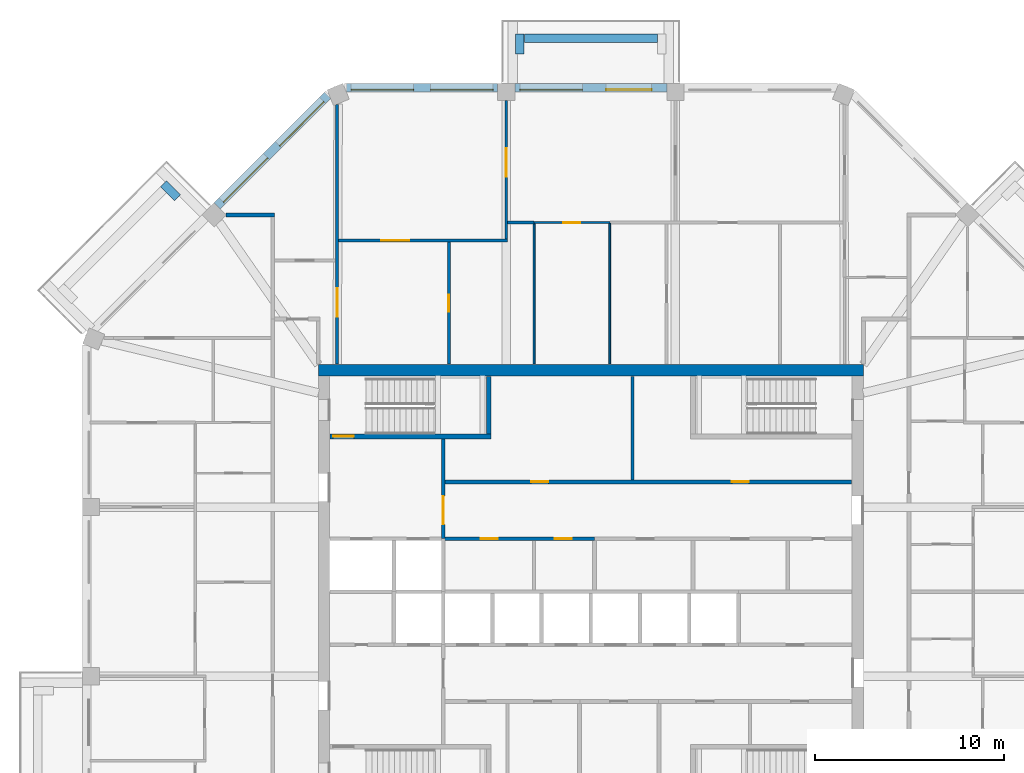
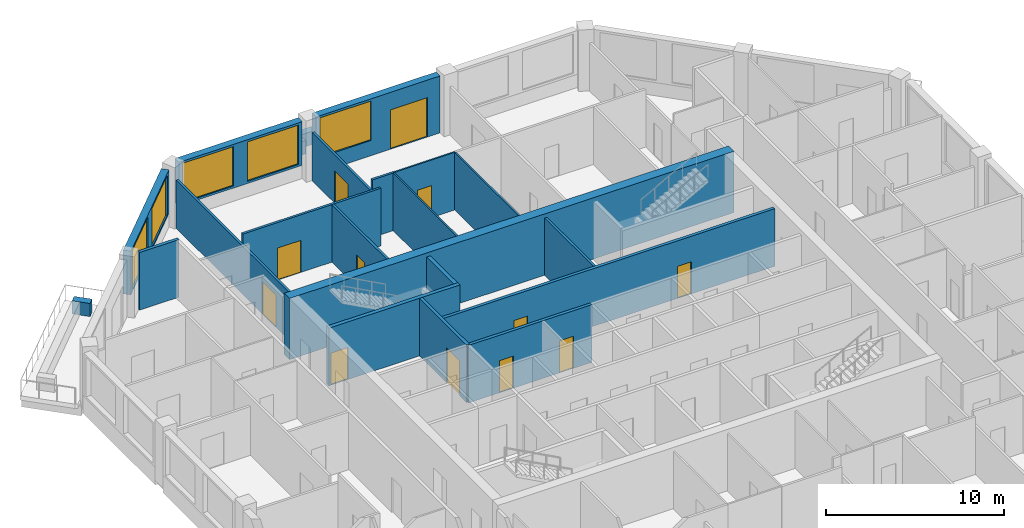
# One storey, part 8 of 11: 22 walls, 12 doors, 5 windows, 17 openings.
"""IFC4 building model written with IfcOpenShell, lengths in metres."""

from ifc_helpers import new_model, si_unit, direction, frame, frame_2d, origin, place, context, subcontext, project, spatial, rectangle, extrude, material, layer, layer_set, type_object, element, fill, save


model = new_model("IFC4")

# Units and contexts
model_context = context("Model", 3, precision=1e-05, world=origin(), true_north=direction((0.0, 1.0)))
body_context = subcontext(model_context, "Body", "Model", "MODEL_VIEW")
ifc_project = project(units=[si_unit("LENGTHUNIT", "METRE"), si_unit("AREAUNIT", "SQUARE_METRE"), si_unit("VOLUMEUNIT", "CUBIC_METRE"), si_unit("PLANEANGLEUNIT", "RADIAN"), si_unit("MASSUNIT", "GRAM", prefix="KILO")], contexts=[model_context])

# Site, building, storey
site_placement = place(None, origin())
site = spatial("IfcSite", under=ifc_project, at=site_placement, CompositionType="ELEMENT")
building_placement = place(site_placement, origin())
building = spatial("IfcBuilding", under=site, at=building_placement, Name="Msitu Wima Residences", CompositionType="ELEMENT")
storey_placement = place(building_placement, frame((0.0, 0.0, 260.10009765625)))
storey = spatial("IfcBuildingStorey", under=building, at=storey_placement, Name="L60", CompositionType="ELEMENT", Elevation=260.10009765625)

# Walls
ifc_material_1 = material(Name="Facing brick")
ifc_layer_1 = layer(ifc_material_1, 0.06494140625, Name="Facing brick")
ifc_material_2 = material(Name="Concrete C40/50", Category="concrete")
ifc_layer_2 = layer(ifc_material_2, 0.156005859375, Name="Concrete C40/50")
ifc_material_3 = material(Name="Waterproofing membrane")
ifc_layer_3 = layer(ifc_material_3, 0.00390625, Name="Waterproofing membrane")
ifc_material_4 = material(Name="Planting soil and planting")
ifc_layer_4 = layer(ifc_material_4, 0.22509765625, Name="Planting soil and planting")
ifc_layer_set_1 = layer_set([ifc_layer_1, ifc_layer_2, ifc_layer_3, ifc_layer_4], Name="Concrete C40/50")
wall_type_1 = type_object("IfcWallType", Name="Balcony planter PLANTER PL450", PredefinedType="USERDEFINED", material=ifc_layer_set_1)
wall_1_placement = place(storey_placement, frame((3.5185546875, 29.22509765625, 0.0), z_axis=(0.0, 0.0, 1.0), x_axis=(-1.0, 0.0, 0.0)))
element("IfcWall", 1, at=wall_1_placement, inside=storey, type_object=wall_type_1, Name="Balcony planter N1 L60", ObjectType="PLANTER", PredefinedType="USERDEFINED", context=body_context, shape_type="SweptSolid", body=[
    extrude(rectangle(XDim=7.037109375, YDim=0.449951171875, at=frame_2d((3.5185546875, 0.0))), origin(), (0.0, 0.0, 1.0), 0.89990234375),
])
for number, where, z_axis, x_axis, name in (
    (2, (-3.74365234375, 28.39990234375, 0.0), (0.0, 0.0, 1.0), (0.0, 1.0, 0.0), "Balcony planter N1 L60"),
    (3, (-21.829833984375, 20.804443359375, 0.0), (0.0, 0.0, 1.0), (-0.707106781187, 0.707106781187, 0.0), "Balcony planter NW1 L60"),
):
    element("IfcWall", number, at=place(storey_placement, frame(where, z_axis=z_axis, x_axis=x_axis)), inside=storey, type_object=wall_type_1, Name=name, ObjectType="PLANTER", PredefinedType="USERDEFINED", context=body_context, shape_type="SweptSolid", body=[
        extrude(rectangle(XDim=1.050048828125, YDim=0.449951171875, at=frame_2d((0.52490234375, 0.0))), origin(), (0.0, 0.0, 1.0), 0.89990234375),
    ])

# Wall, openings, door, window
ifc_material_5 = material(Name="Brick (red buff mix)", Category="masonry")
ifc_layer_5 = layer(ifc_material_5, 0.449951171875)
ifc_layer_set_2 = layer_set([ifc_layer_5], Name="Brick (red buff mix)")
wall_type_2 = type_object("IfcWallType", Name="Brick infill wall BW450", PredefinedType="SOLIDWALL", material=ifc_layer_set_2)
wall_2_placement = place(storey_placement, frame((4.0185546875, 26.625, 0.0), z_axis=(0.0, 0.0, 1.0), x_axis=(-1.0, 0.0, 0.0)))
wall_2 = element("IfcWall", 4, at=wall_2_placement, inside=storey, type_object=wall_type_2, Name="Brick infill wall L60 N1", PredefinedType="SOLIDWALL", context=body_context, shape_type="SweptSolid", body=[
    extrude(rectangle(XDim=8.037109375, YDim=0.449951171875, at=frame_2d((4.0185546875, 0.0))), origin(), (0.0, 0.0, 1.0), 3.89990234375),
])
opening_1_placement = place(wall_2_placement, frame((0.809326171875, 0.0, 0.0)))
opening_1 = element("IfcOpeningElement", 5, at=opening_1_placement, cuts=wall_2, Name="Opening D60-62.002", PredefinedType="OPENING", context=body_context, shape_type="SweptSolid", body=[
    extrude(rectangle(XDim=2.39990234375, YDim=2.699951171875, at=frame_2d((1.199951171875, 1.35009765625))), frame((0.0, 0.23486328125, 0.0), z_axis=(0.0, -1.0, 0.0), x_axis=(1.0, 0.0, 0.0)), (0.0, 0.0, 1.0), 0.469970703125),
])
opening_2_placement = place(wall_2_placement, frame((4.46875, 0.0, 1.050048828125)))
opening_2 = element("IfcOpeningElement", 6, at=opening_2_placement, cuts=wall_2, Name="Opening W60-62.008", PredefinedType="OPENING", context=body_context, shape_type="SweptSolid", body=[
    extrude(rectangle(XDim=3.300048828125, YDim=2.699951171875, at=frame_2d((1.64990234375, 1.35009765625))), frame((0.0, 0.23486328125, 0.0), z_axis=(0.0, -1.0, 0.0), x_axis=(1.0, 0.0, 0.0)), (0.0, 0.0, 1.0), 0.469970703125),
])
ifc_material_6 = material(Name="Anodised aluminium, bronze finish, clear low-emissivity double glazing", Category="aluminium")
door_type_1 = type_object("IfcDoorType", Name="Balcony door D2400x2700", OperationType="SLIDING_TO_LEFT", PredefinedType="DOOR", material=ifc_material_6)
door_1_placement = place(opening_1_placement, origin())
door_1 = element("IfcDoor", 7, at=door_1_placement, inside=storey, type_object=door_type_1, Name="Balcony door L60 N1", OperationType="SINGLE_SWING_LEFT", OverallHeight=2.699951171875, OverallWidth=2.39990234375, PredefinedType="DOOR", context=body_context, shape_type="SweptSolid", body=[
    extrude(rectangle(XDim=2.39990234375, YDim=2.699951171875, at=frame_2d((1.199951171875, 1.35009765625))), frame((0.0, 0.1298828125, 0.0), z_axis=(0.0, -1.0, 0.0), x_axis=(1.0, 0.0, 0.0)), (0.0, 0.0, 1.0), 0.050048828125),
])
fill(opening_1, door_1)
window_type = type_object("IfcWindowType", Name="Window W3300x2700", PartitioningType="DOUBLE_PANEL_VERTICAL", PredefinedType="WINDOW", material=ifc_material_6)
window_1_placement = place(opening_2_placement, origin())
window_1 = element("IfcWindow", 8, at=window_1_placement, inside=storey, type_object=window_type, Name="Window L60 N1.2", OverallHeight=2.699951171875, OverallWidth=3.300048828125, PartitioningType="SINGLE_PANEL", PredefinedType="WINDOW", context=body_context, shape_type="SweptSolid", body=[
    extrude(rectangle(XDim=3.300048828125, YDim=2.699951171875, at=frame_2d((1.64990234375, 1.35009765625))), frame((0.0, 0.135009765625, 0.0), z_axis=(0.0, -1.0, 0.0), x_axis=(1.0, 0.0, 0.0)), (0.0, 0.0, 1.0), 0.06005859375),
])
fill(opening_2, window_1)

# Wall, openings, windows
wall_3_placement = place(storey_placement, frame((-4.918701171875, 26.625, 0.89990234375), z_axis=(0.0, 0.0, 1.0), x_axis=(-1.0, 0.0, 0.0)))
wall_3 = element("IfcWall", 9, at=wall_3_placement, inside=storey, type_object=wall_type_2, Name="Brick infill wall L60 N2", PredefinedType="SOLIDWALL", context=body_context, shape_type="SweptSolid", body=[
    extrude(rectangle(XDim=8.0, YDim=0.449951171875, at=frame_2d((4.0, 0.0))), origin(), (0.0, 0.0, 1.0), 3.0),
])
opening_3_placement = place(wall_3_placement, frame((0.25, 0.0, 0.14990234375)))
opening_3 = element("IfcOpeningElement", 10, at=opening_3_placement, cuts=wall_3, Name="Opening W60-62.009", PredefinedType="OPENING", context=body_context, shape_type="SweptSolid", body=[
    extrude(rectangle(XDim=3.300048828125, YDim=2.699951171875, at=frame_2d((1.64990234375, 1.35009765625))), frame((0.0, 0.23486328125, 0.0), z_axis=(0.0, -1.0, 0.0), x_axis=(1.0, 0.0, 0.0)), (0.0, 0.0, 1.0), 0.469970703125),
])
opening_4_placement = place(wall_3_placement, frame((4.4501953125, 0.0, 0.14990234375)))
opening_4 = element("IfcOpeningElement", 11, at=opening_4_placement, cuts=wall_3, Name="Opening W60-62.010", PredefinedType="OPENING", context=body_context, shape_type="SweptSolid", body=[
    extrude(rectangle(XDim=3.300048828125, YDim=2.699951171875, at=frame_2d((1.64990234375, 1.35009765625))), frame((0.0, 0.23486328125, 0.0), z_axis=(0.0, -1.0, 0.0), x_axis=(1.0, 0.0, 0.0)), (0.0, 0.0, 1.0), 0.469970703125),
])
window_2_placement = place(opening_3_placement, origin())
window_2 = element("IfcWindow", 12, at=window_2_placement, inside=storey, type_object=window_type, Name="Window L60 N2.1", OverallHeight=2.699951171875, OverallWidth=3.300048828125, PartitioningType="SINGLE_PANEL", PredefinedType="WINDOW", context=body_context, shape_type="SweptSolid", body=[
    extrude(rectangle(XDim=3.300048828125, YDim=2.699951171875, at=frame_2d((1.64990234375, 1.35009765625))), frame((0.0, 0.135009765625, 0.0), z_axis=(0.0, -1.0, 0.0), x_axis=(1.0, 0.0, 0.0)), (0.0, 0.0, 1.0), 0.06005859375),
])
fill(opening_3, window_2)
window_3_placement = place(opening_4_placement, origin())
window_3 = element("IfcWindow", 13, at=window_3_placement, inside=storey, type_object=window_type, Name="Window L60 N2.2", OverallHeight=2.699951171875, OverallWidth=3.300048828125, PartitioningType="SINGLE_PANEL", PredefinedType="WINDOW", context=body_context, shape_type="SweptSolid", body=[
    extrude(rectangle(XDim=3.300048828125, YDim=2.699951171875, at=frame_2d((1.64990234375, 1.35009765625))), frame((0.0, 0.135009765625, 0.0), z_axis=(0.0, -1.0, 0.0), x_axis=(1.0, 0.0, 0.0)), (0.0, 0.0, 1.0), 0.06005859375),
])
fill(opening_4, window_3)

wall_4_placement = place(storey_placement, frame((-13.909423828125, 26.214599609375, 0.89990234375), z_axis=(0.0, 0.0, 1.0), x_axis=(-0.707106781187, -0.707106781187, 0.0)))
wall_4 = element("IfcWall", 14, at=wall_4_placement, inside=storey, type_object=wall_type_2, Name="Brick infill wall L60 NW0", PredefinedType="SOLIDWALL", context=body_context, shape_type="SweptSolid", body=[
    extrude(rectangle(XDim=8.251220703125, YDim=0.449951171875, at=frame_2d((4.12548828125, 0.0))), origin(), (0.0, 0.0, 1.0), 3.0),
])
opening_5_placement = place(wall_4_placement, frame((0.37548828125, 0.0, 0.14990234375)))
opening_5 = element("IfcOpeningElement", 15, at=opening_5_placement, cuts=wall_4, Name="Opening W60-62.014", PredefinedType="OPENING", context=body_context, shape_type="SweptSolid", body=[
    extrude(rectangle(XDim=3.300048828125, YDim=2.699951171875, at=frame_2d((1.64990234375, 1.35009765625))), frame((0.0, 0.23486328125, 0.0), z_axis=(0.0, -1.0, 0.0), x_axis=(1.0, 0.0, 0.0)), (0.0, 0.0, 1.0), 0.469970703125),
])
opening_6_placement = place(wall_4_placement, frame((4.57568359375, 0.0, 0.14990234375)))
opening_6 = element("IfcOpeningElement", 16, at=opening_6_placement, cuts=wall_4, Name="Opening W60-62.015", PredefinedType="OPENING", context=body_context, shape_type="SweptSolid", body=[
    extrude(rectangle(XDim=3.300048828125, YDim=2.699951171875, at=frame_2d((1.64990234375, 1.35009765625))), frame((0.0, 0.23486328125, 0.0), z_axis=(0.0, -1.0, 0.0), x_axis=(1.0, 0.0, 0.0)), (0.0, 0.0, 1.0), 0.469970703125),
])
window_4_placement = place(opening_5_placement, origin())
window_4 = element("IfcWindow", 17, at=window_4_placement, inside=storey, type_object=window_type, Name="Window L60 NW0.1", OverallHeight=2.699951171875, OverallWidth=3.300048828125, PartitioningType="SINGLE_PANEL", PredefinedType="WINDOW", context=body_context, shape_type="SweptSolid", body=[
    extrude(rectangle(XDim=3.300048828125, YDim=2.699951171875, at=frame_2d((1.64990234375, 1.35009765625))), frame((0.0, 0.135009765625, 0.0), z_axis=(0.0, -1.0, 0.0), x_axis=(1.0, 0.0, 0.0)), (0.0, 0.0, 1.0), 0.06005859375),
])
fill(opening_5, window_4)
window_5_placement = place(opening_6_placement, origin())
window_5 = element("IfcWindow", 18, at=window_5_placement, inside=storey, type_object=window_type, Name="Window L60 NW0.2", OverallHeight=2.699951171875, OverallWidth=3.300048828125, PartitioningType="SINGLE_PANEL", PredefinedType="WINDOW", context=body_context, shape_type="SweptSolid", body=[
    extrude(rectangle(XDim=3.300048828125, YDim=2.699951171875, at=frame_2d((1.64990234375, 1.35009765625))), frame((0.0, 0.135009765625, 0.0), z_axis=(0.0, -1.0, 0.0), x_axis=(1.0, 0.0, 0.0)), (0.0, 0.0, 1.0), 0.06005859375),
])
fill(opening_6, window_5)

# Wall
ifc_material_7 = material(Name="Concrete C50/60", Category="concrete")
ifc_layer_6 = layer(ifc_material_7, 0.60009765625)
ifc_layer_set_3 = layer_set([ifc_layer_6], Name="Concrete C50/60")
wall_type_3 = type_object("IfcWallType", Name="Core wall CW600 C50/60", PredefinedType="SHEAR", material=ifc_layer_set_3)
wall_5_placement = place(storey_placement, frame((-14.39990234375, 11.699951171875, 0.0), z_axis=(0.0, 0.0, 1.0), x_axis=(1.0, 0.0, 0.0)))
element("IfcWall", 19, at=wall_5_placement, inside=storey, type_object=wall_type_3, Name="Core wall", PredefinedType="SHEAR", context=body_context, shape_type="SweptSolid", body=[
    extrude(rectangle(XDim=28.7998046875, YDim=0.60009765625, at=frame_2d((14.39990234375, 0.0))), origin(), (0.0, 0.0, 1.0), 4.199951171875),
])

# Wall, openings, doors
ifc_material_8 = material(Name="Plaster")
ifc_layer_7 = layer(ifc_material_8, 0.011962890625, Name="Plaster")
ifc_material_9 = material(Name="Concrete blockwork", Category="masonry")
ifc_layer_8 = layer(ifc_material_9, 0.176025390625, Name="Concrete blockwork")
ifc_layer_9 = layer(ifc_material_8, 0.011962890625, Name="Plaster")
ifc_layer_set_4 = layer_set([ifc_layer_7, ifc_layer_8, ifc_layer_9], Name="Concrete blockwork")
wall_type_4 = type_object("IfcWallType", Name="Corridor wall FW200", PredefinedType="PARTITIONING", material=ifc_layer_set_4)
wall_6_placement = place(storey_placement, frame((-7.820068359375, 2.800048828125, 0.0), z_axis=(0.0, 0.0, 1.0), x_axis=(1.0, 0.0, 0.0)))
wall_6 = element("IfcWall", 20, at=wall_6_placement, inside=storey, type_object=wall_type_4, Name="Corridor wall", PredefinedType="PARTITIONING", context=body_context, shape_type="SweptSolid", body=[
    extrude(rectangle(XDim=8.0, YDim=0.199951171875, at=frame_2d((4.0, 0.0))), origin(), (0.0, 0.0, 1.0), 3.949951171875),
])
opening_7_placement = place(wall_6_placement, frame((2.0, 0.0, 0.0)))
opening_7 = element("IfcOpeningElement", 21, at=opening_7_placement, cuts=wall_6, Name="Opening D60-62.079", PredefinedType="OPENING", context=body_context, shape_type="SweptSolid", body=[
    extrude(rectangle(XDim=0.89990234375, YDim=2.199951171875, at=frame_2d((0.449951171875, 1.10009765625))), frame((0.0, 0.10986328125, 0.0), z_axis=(0.0, -1.0, 0.0), x_axis=(1.0, 0.0, 0.0)), (0.0, 0.0, 1.0), 0.219970703125),
])
opening_8_placement = place(wall_6_placement, frame((5.89990234375, 0.0, 0.0)))
opening_8 = element("IfcOpeningElement", 22, at=opening_8_placement, cuts=wall_6, Name="Opening D60-62.080", PredefinedType="OPENING", context=body_context, shape_type="SweptSolid", body=[
    extrude(rectangle(XDim=0.89990234375, YDim=2.199951171875, at=frame_2d((0.449951171875, 1.10009765625))), frame((0.0, 0.10986328125, 0.0), z_axis=(0.0, -1.0, 0.0), x_axis=(1.0, 0.0, 0.0)), (0.0, 0.0, 1.0), 0.219970703125),
])
ifc_material_10 = material(Name="Timber flush door", Category="wood")
door_type_2 = type_object("IfcDoorType", Name="Service door D05 900x2200", OperationType="SINGLE_SWING_LEFT", PredefinedType="DOOR", material=ifc_material_10)
door_2_placement = place(opening_7_placement, origin())
door_2 = element("IfcDoor", 23, at=door_2_placement, inside=storey, type_object=door_type_2, Name="Service door", OperationType="SINGLE_SWING_LEFT", OverallHeight=2.199951171875, OverallWidth=0.89990234375, PredefinedType="DOOR", context=body_context, shape_type="SweptSolid", body=[
    extrude(rectangle(XDim=0.89990234375, YDim=2.199951171875, at=frame_2d((0.449951171875, 1.10009765625))), frame((0.0, 0.02490234375, 0.0), z_axis=(0.0, -1.0, 0.0), x_axis=(1.0, 0.0, 0.0)), (0.0, 0.0, 1.0), 0.050048828125),
])
fill(opening_7, door_2)
door_3_placement = place(opening_8_placement, origin())
door_3 = element("IfcDoor", 24, at=door_3_placement, inside=storey, type_object=door_type_2, Name="Service door", OperationType="SINGLE_SWING_RIGHT", OverallHeight=2.199951171875, OverallWidth=0.89990234375, PredefinedType="DOOR", context=body_context, shape_type="SweptSolid", body=[
    extrude(rectangle(XDim=0.89990234375, YDim=2.199951171875, at=frame_2d((0.449951171875, 1.10009765625))), frame((0.0, 0.02490234375, 0.0), z_axis=(0.0, -1.0, 0.0), x_axis=(1.0, 0.0, 0.0)), (0.0, 0.0, 1.0), 0.050048828125),
])
fill(opening_8, door_3)

# Wall, opening, door
wall_7_placement = place(storey_placement, frame((-7.800048828125, 2.800048828125, 0.0), z_axis=(0.0, 0.0, 1.0), x_axis=(0.0, 1.0, 0.0)))
wall_7 = element("IfcWall", 25, at=wall_7_placement, inside=storey, type_object=wall_type_4, Name="Corridor wall", PredefinedType="PARTITIONING", context=body_context, shape_type="SweptSolid", body=[
    extrude(rectangle(XDim=5.27490234375, YDim=0.199951171875, at=frame_2d((2.637451171875, 0.0))), origin(), (0.0, 0.0, 1.0), 3.949951171875),
])
opening_9_placement = place(wall_7_placement, frame((0.75, 0.0, 0.0)))
opening_9 = element("IfcOpeningElement", 26, at=opening_9_placement, cuts=wall_7, Name="Opening D60-62.067", PredefinedType="OPENING", context=body_context, shape_type="SweptSolid", body=[
    extrude(rectangle(XDim=1.5, YDim=2.39990234375, at=frame_2d((0.75, 1.199951171875))), frame((0.0, 0.10986328125, 0.0), z_axis=(0.0, -1.0, 0.0), x_axis=(1.0, 0.0, 0.0)), (0.0, 0.0, 1.0), 0.219970703125),
])
ifc_material_11 = material(Name="Steel framed glazed door, fire resisting", Category="steel")
door_type_3 = type_object("IfcDoorType", Name="Lobby door D07 1500x2400", OperationType="DOUBLE_DOOR_SINGLE_SWING", PredefinedType="DOOR", material=ifc_material_11)
door_4_placement = place(opening_9_placement, origin())
door_4 = element("IfcDoor", 27, at=door_4_placement, inside=storey, type_object=door_type_3, Name="Lobby door", OperationType="DOUBLE_DOOR_SINGLE_SWING", OverallHeight=2.39990234375, OverallWidth=1.5, PredefinedType="DOOR", context=body_context, shape_type="SweptSolid", body=[
    extrude(rectangle(XDim=1.5, YDim=2.39990234375, at=frame_2d((0.75, 1.199951171875))), frame((0.0, 0.02490234375, 0.0), z_axis=(0.0, -1.0, 0.0), x_axis=(1.0, 0.0, 0.0)), (0.0, 0.0, 1.0), 0.050048828125),
])
fill(opening_9, door_4)

# Wall, openings, doors
wall_8_placement = place(storey_placement, frame((-7.699951171875, 5.800048828125, 0.0), z_axis=(0.0, 0.0, 1.0), x_axis=(1.0, 0.0, 0.0)))
wall_8 = element("IfcWall", 28, at=wall_8_placement, inside=storey, type_object=wall_type_4, Name="Corridor wall", PredefinedType="PARTITIONING", context=body_context, shape_type="SweptSolid", body=[
    extrude(rectangle(XDim=21.469970703125, YDim=0.199951171875, at=frame_2d((10.73486328125, 0.0))), origin(), (0.0, 0.0, 1.0), 3.949951171875),
])
opening_10_placement = place(wall_8_placement, frame((4.550048828125, 0.0, 0.0)))
opening_10 = element("IfcOpeningElement", 29, at=opening_10_placement, cuts=wall_8, Name="Opening D60-62.070", PredefinedType="OPENING", context=body_context, shape_type="SweptSolid", body=[
    extrude(rectangle(XDim=0.89990234375, YDim=2.199951171875, at=frame_2d((0.449951171875, 1.10009765625))), frame((0.0, 0.10986328125, 0.0), z_axis=(0.0, -1.0, 0.0), x_axis=(1.0, 0.0, 0.0)), (0.0, 0.0, 1.0), 0.219970703125),
])
opening_11_placement = place(wall_8_placement, frame((15.14990234375, 0.0, 0.0)))
opening_11 = element("IfcOpeningElement", 30, at=opening_11_placement, cuts=wall_8, Name="Opening D60-62.071", PredefinedType="OPENING", context=body_context, shape_type="SweptSolid", body=[
    extrude(rectangle(XDim=0.89990234375, YDim=2.199951171875, at=frame_2d((0.449951171875, 1.10009765625))), frame((0.0, 0.10986328125, 0.0), z_axis=(0.0, -1.0, 0.0), x_axis=(1.0, 0.0, 0.0)), (0.0, 0.0, 1.0), 0.219970703125),
])
door_5_placement = place(opening_10_placement, origin())
door_5 = element("IfcDoor", 31, at=door_5_placement, inside=storey, type_object=door_type_2, Name="Service door", OperationType="SINGLE_SWING_LEFT", OverallHeight=2.199951171875, OverallWidth=0.89990234375, PredefinedType="DOOR", context=body_context, shape_type="SweptSolid", body=[
    extrude(rectangle(XDim=0.89990234375, YDim=2.199951171875, at=frame_2d((0.449951171875, 1.10009765625))), frame((0.0, 0.02490234375, 0.0), z_axis=(0.0, -1.0, 0.0), x_axis=(1.0, 0.0, 0.0)), (0.0, 0.0, 1.0), 0.050048828125),
])
fill(opening_10, door_5)
door_6_placement = place(opening_11_placement, origin())
door_6 = element("IfcDoor", 32, at=door_6_placement, inside=storey, type_object=door_type_2, Name="Service door", OperationType="SINGLE_SWING_RIGHT", OverallHeight=2.199951171875, OverallWidth=0.89990234375, PredefinedType="DOOR", context=body_context, shape_type="SweptSolid", body=[
    extrude(rectangle(XDim=0.89990234375, YDim=2.199951171875, at=frame_2d((0.449951171875, 1.10009765625))), frame((0.0, 0.02490234375, 0.0), z_axis=(0.0, -1.0, 0.0), x_axis=(1.0, 0.0, 0.0)), (0.0, 0.0, 1.0), 0.050048828125),
])
fill(opening_11, door_6)

# Wall, opening, door
ifc_layer_10 = layer(ifc_material_8, 0.011962890625, Name="Plaster")
ifc_layer_11 = layer(ifc_material_9, 0.1259765625, Name="Concrete blockwork")
ifc_layer_12 = layer(ifc_material_8, 0.011962890625, Name="Plaster")
ifc_layer_set_5 = layer_set([ifc_layer_10, ifc_layer_11, ifc_layer_12], Name="Concrete blockwork")
wall_type_5 = type_object("IfcWallType", Name="Partition PW150", PredefinedType="PARTITIONING", material=ifc_layer_set_5)
wall_9_placement = place(storey_placement, frame((-13.406005859375, 12.030029296875, 0.0), z_axis=(0.0, 0.0, 1.0), x_axis=(0.0, 1.0, 0.0)))
wall_9 = element("IfcWall", 33, at=wall_9_placement, inside=storey, type_object=wall_type_5, Name="Partition", PredefinedType="PARTITIONING", context=body_context, shape_type="SweptSolid", body=[
    extrude(rectangle(XDim=13.701171875, YDim=0.14990234375, at=frame_2d((6.8505859375, 0.0))), origin(), (0.0, 0.0, 1.0), 3.2998046875),
])
opening_12_placement = place(wall_9_placement, frame((2.5, 0.0, 0.0)))
opening_12 = element("IfcOpeningElement", 34, at=opening_12_placement, cuts=wall_9, Name="Opening D60-62.027", PredefinedType="OPENING", context=body_context, shape_type="SweptSolid", body=[
    extrude(rectangle(XDim=1.5, YDim=2.199951171875, at=frame_2d((0.75, 1.10009765625))), frame((0.0, 0.0849609375, 0.0), z_axis=(0.0, -1.0, 0.0), x_axis=(1.0, 0.0, 0.0)), (0.0, 0.0, 1.0), 0.169921875),
])
ifc_material_12 = material(Name="Timber double door", Category="wood")
door_type_4 = type_object("IfcDoorType", Name="Double door D04 1500x2200", OperationType="DOUBLE_DOOR_SINGLE_SWING", PredefinedType="DOOR", material=ifc_material_12)
door_7_placement = place(opening_12_placement, origin())
door_7 = element("IfcDoor", 35, at=door_7_placement, inside=storey, type_object=door_type_4, Name="Double door", OperationType="DOUBLE_DOOR_SINGLE_SWING", OverallHeight=2.199951171875, OverallWidth=1.5, PredefinedType="DOOR", context=body_context, shape_type="SweptSolid", body=[
    extrude(rectangle(XDim=1.5, YDim=2.199951171875, at=frame_2d((0.75, 1.10009765625))), frame((0.0, 0.02490234375, 0.0), z_axis=(0.0, -1.0, 0.0), x_axis=(1.0, 0.0, 0.0)), (0.0, 0.0, 1.0), 0.050048828125),
])
fill(opening_12, door_7)

wall_10_placement = place(storey_placement, frame((-13.330810546875, 18.550048828125, 0.0), z_axis=(0.0, 0.0, 1.0), x_axis=(1.0, 0.0, 0.0)))
wall_10 = element("IfcWall", 36, at=wall_10_placement, inside=storey, type_object=wall_type_5, Name="Partition", PredefinedType="PARTITIONING", context=body_context, shape_type="SweptSolid", body=[
    extrude(rectangle(XDim=8.937255859375, YDim=0.14990234375, at=frame_2d((4.46875, 0.0))), origin(), (0.0, 0.0, 1.0), 3.949951171875),
])
opening_13_placement = place(wall_10_placement, frame((2.25, 0.0, 0.0)))
opening_13 = element("IfcOpeningElement", 37, at=opening_13_placement, cuts=wall_10, Name="Opening D60-62.031", PredefinedType="OPENING", context=body_context, shape_type="SweptSolid", body=[
    extrude(rectangle(XDim=1.5, YDim=2.199951171875, at=frame_2d((0.75, 1.10009765625))), frame((0.0, 0.0849609375, 0.0), z_axis=(0.0, -1.0, 0.0), x_axis=(1.0, 0.0, 0.0)), (0.0, 0.0, 1.0), 0.169921875),
])
door_8_placement = place(opening_13_placement, origin())
door_8 = element("IfcDoor", 38, at=door_8_placement, inside=storey, type_object=door_type_4, Name="Double door", OperationType="DOUBLE_DOOR_SINGLE_SWING", OverallHeight=2.199951171875, OverallWidth=1.5, PredefinedType="DOOR", context=body_context, shape_type="SweptSolid", body=[
    extrude(rectangle(XDim=1.5, YDim=2.199951171875, at=frame_2d((0.75, 1.10009765625))), frame((0.0, 0.02490234375, 0.0), z_axis=(0.0, -1.0, 0.0), x_axis=(1.0, 0.0, 0.0)), (0.0, 0.0, 1.0), 0.050048828125),
])
fill(opening_13, door_8)

wall_11_placement = place(storey_placement, frame((-7.5, 12.030029296875, 0.0), z_axis=(0.0, 0.0, 1.0), x_axis=(0.0, 1.0, 0.0)))
wall_11 = element("IfcWall", 39, at=wall_11_placement, inside=storey, type_object=wall_type_5, Name="Partition", PredefinedType="PARTITIONING", context=body_context, shape_type="SweptSolid", body=[
    extrude(rectangle(XDim=6.445068359375, YDim=0.14990234375, at=frame_2d((3.22265625, 0.0))), origin(), (0.0, 0.0, 1.0), 3.949951171875),
])
opening_14_placement = place(wall_11_placement, frame((2.75, 0.0, 0.0)))
opening_14 = element("IfcOpeningElement", 40, at=opening_14_placement, cuts=wall_11, Name="Opening D60-62.033", PredefinedType="OPENING", context=body_context, shape_type="SweptSolid", body=[
    extrude(rectangle(XDim=0.89990234375, YDim=2.199951171875, at=frame_2d((0.449951171875, 1.10009765625))), frame((0.0, 0.0849609375, 0.0), z_axis=(0.0, -1.0, 0.0), x_axis=(1.0, 0.0, 0.0)), (0.0, 0.0, 1.0), 0.169921875),
])
door_9_placement = place(opening_14_placement, origin())
door_9 = element("IfcDoor", 41, at=door_9_placement, inside=storey, type_object=door_type_2, Name="Service door", OperationType="SINGLE_SWING_RIGHT", OverallHeight=2.199951171875, OverallWidth=0.89990234375, PredefinedType="DOOR", context=body_context, shape_type="SweptSolid", body=[
    extrude(rectangle(XDim=0.89990234375, YDim=2.199951171875, at=frame_2d((0.449951171875, 1.10009765625))), frame((0.0, 0.02490234375, 0.0), z_axis=(0.0, -1.0, 0.0), x_axis=(1.0, 0.0, 0.0)), (0.0, 0.0, 1.0), 0.050048828125),
])
fill(opening_14, door_9)

wall_12_placement = place(storey_placement, frame((-4.46875, 18.625, 0.0), z_axis=(0.0, 0.0, 1.0), x_axis=(0.0, 1.0, 0.0)))
wall_12 = element("IfcWall", 42, at=wall_12_placement, inside=storey, type_object=wall_type_5, Name="Partition", PredefinedType="PARTITIONING", context=body_context, shape_type="SweptSolid", body=[
    extrude(rectangle(XDim=7.324951171875, YDim=0.14990234375, at=frame_2d((3.66259765625, 0.0))), origin(), (0.0, 0.0, 1.0), 3.2998046875),
])
opening_15_placement = place(wall_12_placement, frame((3.300048828125, 0.0, 0.0)))
opening_15 = element("IfcOpeningElement", 43, at=opening_15_placement, cuts=wall_12, Name="Opening D60-62.034", PredefinedType="OPENING", context=body_context, shape_type="SweptSolid", body=[
    extrude(rectangle(XDim=1.5, YDim=2.199951171875, at=frame_2d((0.75, 1.10009765625))), frame((0.0, 0.0849609375, 0.0), z_axis=(0.0, -1.0, 0.0), x_axis=(1.0, 0.0, 0.0)), (0.0, 0.0, 1.0), 0.169921875),
])
door_10_placement = place(opening_15_placement, origin())
door_10 = element("IfcDoor", 44, at=door_10_placement, inside=storey, type_object=door_type_4, Name="Double door", OperationType="DOUBLE_DOOR_SINGLE_SWING", OverallHeight=2.199951171875, OverallWidth=1.5, PredefinedType="DOOR", context=body_context, shape_type="SweptSolid", body=[
    extrude(rectangle(XDim=1.5, YDim=2.199951171875, at=frame_2d((0.75, 1.10009765625))), frame((0.0, 0.02490234375, 0.0), z_axis=(0.0, -1.0, 0.0), x_axis=(1.0, 0.0, 0.0)), (0.0, 0.0, 1.0), 0.050048828125),
])
fill(opening_15, door_10)

# Walls
wall_13_placement = place(storey_placement, frame((-4.3935546875, 19.5, 0.0), z_axis=(0.0, 0.0, 1.0), x_axis=(1.0, 0.0, 0.0)))
element("IfcWall", 45, at=wall_13_placement, inside=storey, type_object=wall_type_5, Name="Partition", PredefinedType="PARTITIONING", context=body_context, shape_type="SweptSolid", body=[
    extrude(rectangle(XDim=1.3935546875, YDim=0.14990234375, at=frame_2d((0.69677734375, 0.0))), origin(), (0.0, 0.0, 1.0), 3.949951171875),
])
wall_14_placement = place(storey_placement, frame((2.199951171875, 5.89990234375, 0.0), z_axis=(0.0, 0.0, 1.0), x_axis=(0.0, 1.0, 0.0)))
element("IfcWall", 46, at=wall_14_placement, inside=storey, type_object=wall_type_5, Name="Partition", PredefinedType="PARTITIONING", context=body_context, shape_type="SweptSolid", body=[
    extrude(rectangle(XDim=5.47021484375, YDim=0.14990234375, at=frame_2d((2.735107421875, 0.0))), origin(), (0.0, 0.0, 1.0), 3.949951171875),
])
ifc_layer_13 = layer(ifc_material_8, 0.011962890625, Name="Plaster")
ifc_material_13 = material(Name="Dense concrete blockwork", Category="masonry")
ifc_layer_14 = layer(ifc_material_13, 0.176025390625, Name="Dense concrete blockwork")
ifc_layer_15 = layer(ifc_material_8, 0.011962890625, Name="Plaster")
ifc_layer_set_6 = layer_set([ifc_layer_13, ifc_layer_14, ifc_layer_15], Name="Dense concrete blockwork")
wall_type_6 = type_object("IfcWallType", Name="Party wall PW200", PredefinedType="PARTITIONING", material=ifc_layer_set_6)
wall_15_placement = place(storey_placement, frame((-19.2666015625, 19.90283203125, 0.0), z_axis=(0.0, 0.0, 1.0), x_axis=(1.0, 0.0, 0.0)))
element("IfcWall", 47, at=wall_15_placement, inside=storey, type_object=wall_type_6, Name="Party wall", PredefinedType="PARTITIONING", context=body_context, shape_type="SweptSolid", body=[
    extrude(rectangle(XDim=2.566650390625, YDim=0.199951171875, at=frame_2d((1.283203125, 0.0))), origin(), (0.0, 0.0, 1.0), 3.949951171875),
])

# Wall, opening, door
ifc_layer_16 = layer(ifc_material_7, 0.25)
ifc_layer_set_7 = layer_set([ifc_layer_16], Name="Concrete C50/60")
wall_type_7 = type_object("IfcWallType", Name="Stair enclosure wall SW250", PredefinedType="SHEAR", material=ifc_layer_set_7)
wall_16_placement = place(storey_placement, frame((-13.77001953125, 8.199951171875, 0.0), z_axis=(0.0, 0.0, 1.0), x_axis=(1.0, 0.0, 0.0)))
wall_16 = element("IfcWall", 48, at=wall_16_placement, inside=storey, type_object=wall_type_7, Name="Stair enclosure wall", PredefinedType="SHEAR", context=body_context, shape_type="SweptSolid", body=[
    extrude(rectangle(XDim=8.4951171875, YDim=0.25, at=frame_2d((4.24755859375, 0.0))), origin(), (0.0, 0.0, 1.0), 3.949951171875),
])
opening_16_placement = place(wall_16_placement, frame((0.14990234375, 0.0, 0.0)))
opening_16 = element("IfcOpeningElement", 49, at=opening_16_placement, cuts=wall_16, Name="Opening D60-62.086", PredefinedType="OPENING", context=body_context, shape_type="SweptSolid", body=[
    extrude(rectangle(XDim=1.10009765625, YDim=2.199951171875, at=frame_2d((0.550048828125, 1.10009765625))), frame((0.0, 0.135009765625, 0.0), z_axis=(0.0, -1.0, 0.0), x_axis=(1.0, 0.0, 0.0)), (0.0, 0.0, 1.0), 0.27001953125),
])
ifc_material_14 = material(Name="Steel door, fire resisting, panic bar", Category="steel")
door_type_5 = type_object("IfcDoorType", Name="Stair door D06 1100x2200", OperationType="SINGLE_SWING_LEFT", PredefinedType="DOOR", material=ifc_material_14)
door_11_placement = place(opening_16_placement, origin())
door_11 = element("IfcDoor", 50, at=door_11_placement, inside=storey, type_object=door_type_5, Name="Stair door", OperationType="SINGLE_SWING_LEFT", OverallHeight=2.199951171875, OverallWidth=1.10009765625, PredefinedType="DOOR", context=body_context, shape_type="SweptSolid", body=[
    extrude(rectangle(XDim=1.10009765625, YDim=2.199951171875, at=frame_2d((0.550048828125, 1.10009765625))), frame((0.0, 0.02490234375, 0.0), z_axis=(0.0, -1.0, 0.0), x_axis=(1.0, 0.0, 0.0)), (0.0, 0.0, 1.0), 0.050048828125),
])
fill(opening_16, door_11)

# Walls
wall_17_placement = place(storey_placement, frame((-5.39990234375, 8.324951171875, 0.0), z_axis=(0.0, 0.0, 1.0), x_axis=(0.0, 1.0, 0.0)))
element("IfcWall", 51, at=wall_17_placement, inside=storey, type_object=wall_type_7, Name="Stair enclosure wall", PredefinedType="SHEAR", context=body_context, shape_type="SweptSolid", body=[
    extrude(rectangle(XDim=3.045166015625, YDim=0.25, at=frame_2d((1.5224609375, 0.0))), origin(), (0.0, 0.0, 1.0), 3.949951171875),
])
ifc_material_15 = material(Name="Ceramic tiles")
ifc_layer_17 = layer(ifc_material_15, 0.008056640625, Name="Ceramic tiles")
ifc_material_16 = material(Name="Moisture-resistant board")
ifc_layer_18 = layer(ifc_material_16, 0.012451171875, Name="Moisture-resistant board")
ifc_material_17 = material(Name="Light-gauge stud framing with mineral wool")
ifc_layer_19 = layer(ifc_material_17, 0.06689453125, Name="Light-gauge stud framing with mineral wool")
ifc_layer_20 = layer(ifc_material_16, 0.012451171875, Name="Moisture-resistant board")
ifc_layer_set_8 = layer_set([ifc_layer_17, ifc_layer_18, ifc_layer_19, ifc_layer_20], Name="Light-gauge stud framing with mineral wool")
wall_type_8 = type_object("IfcWallType", Name="Wet wall PW100", PredefinedType="PARTITIONING", material=ifc_layer_set_8)
wall_18_placement = place(storey_placement, frame((-3.0, 12.030029296875, 0.0), z_axis=(0.0, 0.0, 1.0), x_axis=(0.0, 1.0, 0.0)))
element("IfcWall", 52, at=wall_18_placement, inside=storey, type_object=wall_type_8, Name="Wet wall", PredefinedType="PARTITIONING", context=body_context, shape_type="SweptSolid", body=[
    extrude(rectangle(XDim=7.39501953125, YDim=0.10009765625, at=frame_2d((3.697509765625, 0.0))), origin(), (0.0, 0.0, 1.0), 3.949951171875),
])

# Wall, opening, door
wall_19_placement = place(storey_placement, frame((-3.0, 19.5, 0.0), z_axis=(0.0, 0.0, 1.0), x_axis=(1.0, 0.0, 0.0)))
wall_19 = element("IfcWall", 53, at=wall_19_placement, inside=storey, type_object=wall_type_8, Name="Wet wall", PredefinedType="PARTITIONING", context=body_context, shape_type="SweptSolid", body=[
    extrude(rectangle(XDim=4.0, YDim=0.10009765625, at=frame_2d((2.0, 0.0))), origin(), (0.0, 0.0, 1.0), 3.949951171875),
])
opening_17_placement = place(wall_19_placement, frame((1.550048828125, 0.0, 0.0)))
opening_17 = element("IfcOpeningElement", 54, at=opening_17_placement, cuts=wall_19, Name="Opening D60-62.035", PredefinedType="OPENING", context=body_context, shape_type="SweptSolid", body=[
    extrude(rectangle(XDim=0.89990234375, YDim=2.199951171875, at=frame_2d((0.449951171875, 1.10009765625))), frame((0.0, 0.06005859375, 0.0), z_axis=(0.0, -1.0, 0.0), x_axis=(1.0, 0.0, 0.0)), (0.0, 0.0, 1.0), 0.1201171875),
])
ifc_material_18 = material(Name="Timber flush door, moisture resistant", Category="wood")
door_type_6 = type_object("IfcDoorType", Name="Bathroom door D03 900x2200", OperationType="SINGLE_SWING_LEFT", PredefinedType="DOOR", material=ifc_material_18)
door_12_placement = place(opening_17_placement, origin())
door_12 = element("IfcDoor", 55, at=door_12_placement, inside=storey, type_object=door_type_6, Name="Bathroom door", OperationType="SINGLE_SWING_RIGHT", OverallHeight=2.199951171875, OverallWidth=0.89990234375, PredefinedType="DOOR", context=body_context, shape_type="SweptSolid", body=[
    extrude(rectangle(XDim=0.89990234375, YDim=2.199951171875, at=frame_2d((0.449951171875, 1.10009765625))), frame((0.0, 0.02490234375, 0.0), z_axis=(0.0, -1.0, 0.0), x_axis=(1.0, 0.0, 0.0)), (0.0, 0.0, 1.0), 0.050048828125),
])
fill(opening_17, door_12)

# Wall
wall_20_placement = place(storey_placement, frame((1.0, 12.030029296875, 0.0), z_axis=(0.0, 0.0, 1.0), x_axis=(0.0, 1.0, 0.0)))
element("IfcWall", 56, at=wall_20_placement, inside=storey, type_object=wall_type_8, Name="Wet wall", PredefinedType="PARTITIONING", context=body_context, shape_type="SweptSolid", body=[
    extrude(rectangle(XDim=7.419921875, YDim=0.10009765625, at=frame_2d((3.7099609375, 0.0))), origin(), (0.0, 0.0, 1.0), 3.949951171875),
])

save(model, "model.ifc")
